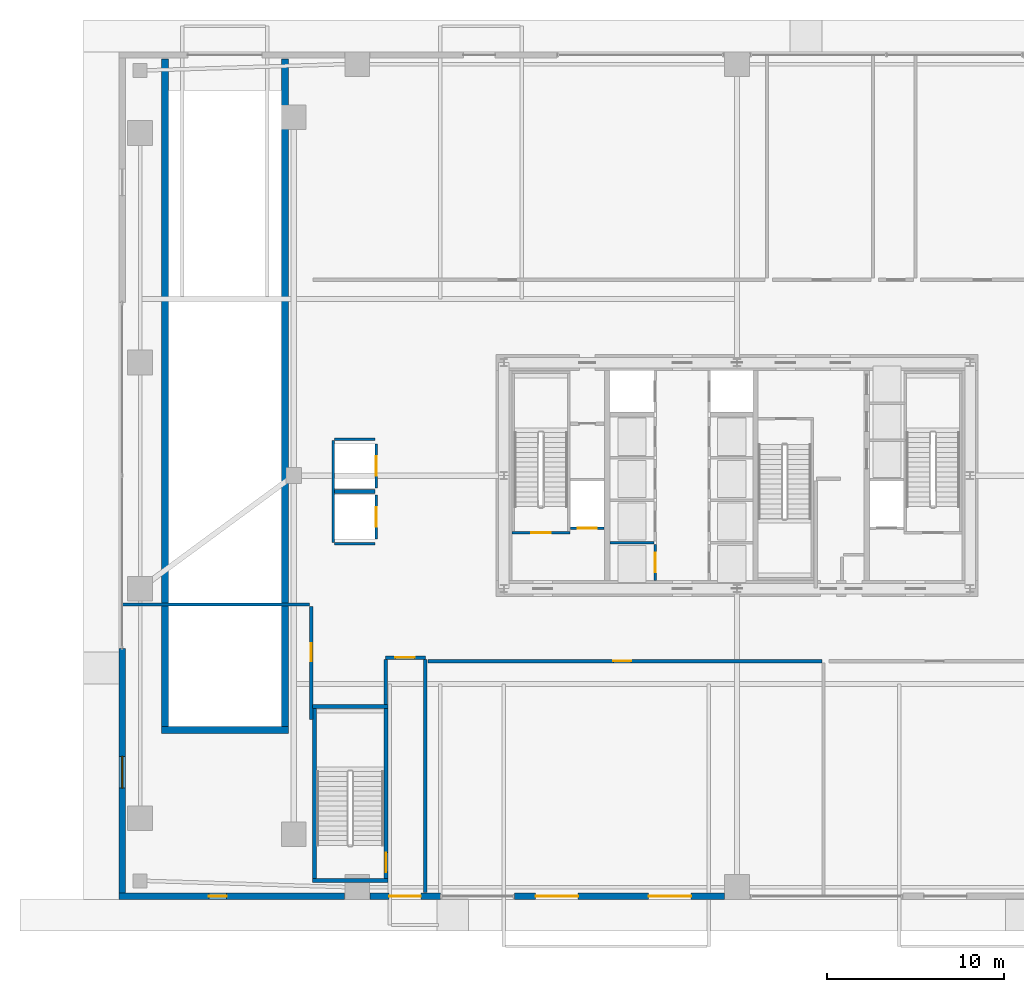
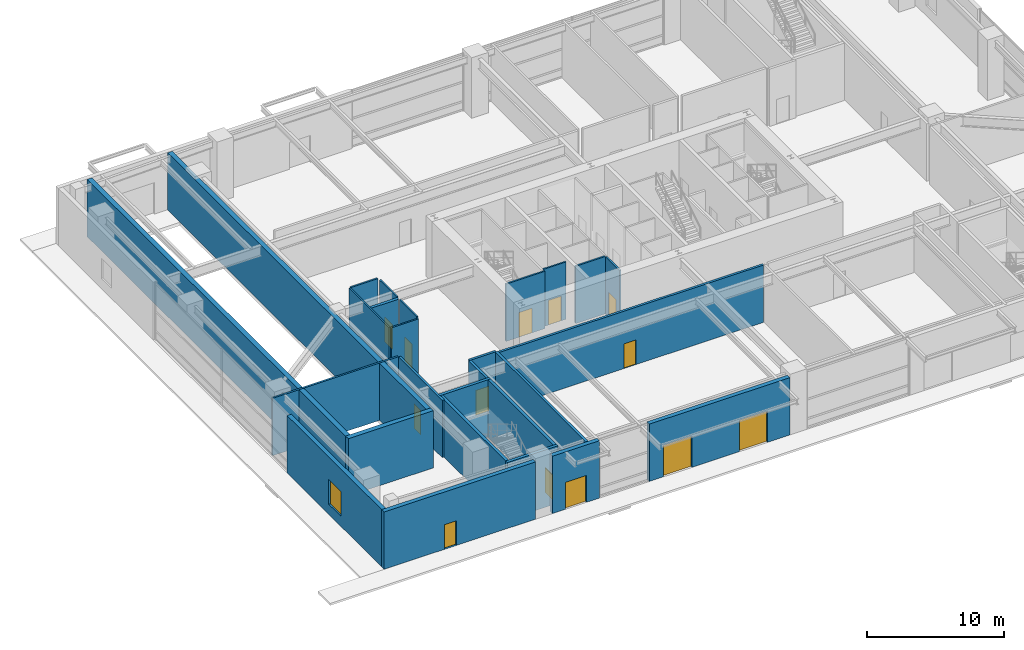
# One storey, part 24 of 32: 27 walls, 13 doors, 1 window, 14 openings.
"""IFC4 building model written with IfcOpenShell, lengths in metres."""

from ifc_helpers import new_model, si_unit, direction, frame, frame_2d, origin, place, context, subcontext, project, spatial, rectangle, extrude, source, transform, mapped, material, layer, layer_set, type_object, element, fill, save


model = new_model("IFC4")

# Units and contexts
model_context = context("Model", 3, precision=1e-05, world=origin(), true_north=direction((0.0, 1.0)))
body_context = subcontext(model_context, "Body", "Model", "MODEL_VIEW")
ifc_project = project(units=[si_unit("LENGTHUNIT", "METRE"), si_unit("AREAUNIT", "SQUARE_METRE"), si_unit("VOLUMEUNIT", "CUBIC_METRE"), si_unit("PLANEANGLEUNIT", "RADIAN"), si_unit("MASSUNIT", "GRAM", prefix="KILO"), si_unit("THERMODYNAMICTEMPERATUREUNIT", "KELVIN"), si_unit("POWERUNIT", "WATT")], contexts=[model_context])

# Site, building, storey
site_placement = place(None, origin())
site = spatial("IfcSite", under=ifc_project, at=site_placement, CompositionType="ELEMENT")
building_placement = place(site_placement, origin())
building = spatial("IfcBuilding", under=site, at=building_placement, Name="Yuzanri Waterfront Tower", CompositionType="ELEMENT")
storey_placement = place(building_placement, origin())
storey = spatial("IfcBuildingStorey", under=building, at=storey_placement, Name="L01", CompositionType="ELEMENT", Elevation=0.0)

# Wall, opening, door
ifc_material_1 = material(Name="Concrete C40", Category="concrete")
ifc_layer_1 = layer(ifc_material_1, 0.139892578125)
ifc_layer_set_1 = layer_set([ifc_layer_1], Name="Concrete C40")
wall_type_1 = type_object("IfcWallType", Name="Core Stair Liner and Hoistway Shaft Wall 140", PredefinedType="SOLIDWALL", material=ifc_layer_set_1)
wall_1_placement = place(storey_placement, frame((27.56005859375, 22.830078125, 0.0), z_axis=(0.0, 0.0, 1.0), x_axis=(1.0, 0.0, 0.0)))
wall_1 = element("IfcWall", 1, at=wall_1_placement, inside=storey, type_object=wall_type_1, Name="L01 Lift FL-01 Front Shaft Wall", PredefinedType="SOLIDWALL", context=body_context, shape_type="SweptSolid", body=[
    extrude(rectangle(XDim=1.919921875, YDim=0.139892578125, at=frame_2d((0.9599609375, 0.0))), origin(), (0.0, 0.0, 1.0), 5.1201171875),
])
opening_1_placement = place(wall_1_placement, frame((0.409912109375, 0.0, 0.0)))
opening_1 = element("IfcOpeningElement", 2, at=opening_1_placement, cuts=wall_1, Name="Opening LD-FL-01", PredefinedType="OPENING", context=body_context, shape_type="SweptSolid", body=[
    extrude(rectangle(XDim=1.10009765625, YDim=2.199951171875, at=frame_2d((0.550048828125, 1.10009765625))), frame((0.0, 0.0849609375, 0.0), z_axis=(0.0, -1.0, 0.0), x_axis=(1.0, 0.0, 0.0)), (0.0, 0.0, 1.0), 0.169677734375),
])
ifc_material_2 = material(Name="Brushed Bronze and Stainless Steel Cab", Category="steel")
door_type_1 = type_object("IfcDoorType", Name="Center-Parting Bronze Lift Landing Sliding Door 1100x2200", OperationType="NOTDEFINED", PredefinedType="DOOR", material=ifc_material_2)
shared_shape_1 = source(origin(), body_context, "Body", "SweptSolid", [
    extrude(rectangle(XDim=1.10009765625, YDim=2.199951171875, at=frame_2d((0.550048828125, 1.10009765625))), frame((0.0, 0.02490234375, 0.0), z_axis=(0.0, -1.0, 0.0), x_axis=(1.0, 0.0, 0.0)), (0.0, 0.0, 1.0), 0.050048828125),
])
door_1_placement = place(opening_1_placement, origin())
door_1 = element("IfcDoor", 3, at=door_1_placement, inside=storey, type_object=door_type_1, Name="L01 FL-01 Lift Landing Sliding Door", OperationType="SLIDING_TO_LEFT", OverallHeight=2.199951171875, OverallWidth=1.10009765625, PredefinedType="DOOR", context=body_context, shape_type="MappedRepresentation", body=[
    mapped(shared_shape_1, transform((0.0, 0.0, 0.0), scale=1.0)),
])
fill(opening_1, door_1)

wall_2_placement = place(storey_placement, frame((32.3701171875, 19.860107421875, 0.0), z_axis=(0.0, 0.0, 1.0), x_axis=(0.0, 1.0, 0.0)))
wall_2 = element("IfcWall", 4, at=wall_2_placement, inside=storey, type_object=wall_type_1, Name="L01 Lift PL-01 Front Shaft Wall", PredefinedType="SOLIDWALL", context=body_context, shape_type="SweptSolid", body=[
    extrude(rectangle(XDim=2.039794921875, YDim=0.139892578125, at=frame_2d((1.02001953125, 0.0))), origin(), (0.0, 0.0, 1.0), 5.1201171875),
])
opening_2_placement = place(wall_2_placement, frame((0.469970703125, 0.0, 0.0)))
opening_2 = element("IfcOpeningElement", 5, at=opening_2_placement, cuts=wall_2, Name="Opening LD-PL-01", PredefinedType="OPENING", context=body_context, shape_type="SweptSolid", body=[
    extrude(rectangle(XDim=1.10009765625, YDim=2.199951171875, at=frame_2d((0.550048828125, 1.10009765625))), frame((0.0, 0.0849609375, 0.0), z_axis=(0.0, -1.0, 0.0), x_axis=(1.0, 0.0, 0.0)), (0.0, 0.0, 1.0), 0.169677734375),
])
door_2_placement = place(opening_2_placement, origin())
door_2 = element("IfcDoor", 6, at=door_2_placement, inside=storey, type_object=door_type_1, Name="L01 PL-01 Lift Landing Sliding Door", OperationType="SLIDING_TO_LEFT", OverallHeight=2.199951171875, OverallWidth=1.10009765625, PredefinedType="DOOR", context=body_context, shape_type="MappedRepresentation", body=[
    mapped(shared_shape_1, transform((0.0, 0.0, 0.0), scale=1.0)),
])
fill(opening_2, door_2)

wall_3_placement = place(storey_placement, frame((16.570068359375, 22.199951171875, 0.0), z_axis=(0.0, 0.0, 1.0), x_axis=(0.0, 1.0, 0.0)))
wall_3 = element("IfcWall", 7, at=wall_3_placement, inside=storey, type_object=wall_type_1, Name="L01 Lift RL-01 Front Shaft Wall", PredefinedType="SOLIDWALL", context=body_context, shape_type="SweptSolid", body=[
    extrude(rectangle(XDim=2.5, YDim=0.139892578125, at=frame_2d((1.25, 0.0))), origin(), (0.0, 0.0, 1.0), 5.1201171875),
])
opening_3_placement = place(wall_3_placement, frame((0.699951171875, 0.0, 0.0)))
opening_3 = element("IfcOpeningElement", 8, at=opening_3_placement, cuts=wall_3, Name="Opening LD-RL-01", PredefinedType="OPENING", context=body_context, shape_type="SweptSolid", body=[
    extrude(rectangle(XDim=1.10009765625, YDim=2.199951171875, at=frame_2d((0.550048828125, 1.10009765625))), frame((0.0, 0.0849609375, 0.0), z_axis=(0.0, -1.0, 0.0), x_axis=(1.0, 0.0, 0.0)), (0.0, 0.0, 1.0), 0.169677734375),
])
door_3_placement = place(opening_3_placement, origin())
door_3 = element("IfcDoor", 9, at=door_3_placement, inside=storey, type_object=door_type_1, Name="L01 RL-01 Lift Landing Sliding Door", OperationType="SLIDING_TO_RIGHT", OverallHeight=2.199951171875, OverallWidth=1.10009765625, PredefinedType="DOOR", context=body_context, shape_type="MappedRepresentation", body=[
    mapped(shared_shape_1, transform((0.0, 0.0, 0.0), scale=1.0)),
])
fill(opening_3, door_3)

wall_4_placement = place(storey_placement, frame((16.570068359375, 25.10009765625, 0.0), z_axis=(0.0, 0.0, 1.0), x_axis=(0.0, 1.0, 0.0)))
wall_4 = element("IfcWall", 10, at=wall_4_placement, inside=storey, type_object=wall_type_1, Name="L01 Lift RL-02 Front Shaft Wall", PredefinedType="SOLIDWALL", context=body_context, shape_type="SweptSolid", body=[
    extrude(rectangle(XDim=2.5, YDim=0.139892578125, at=frame_2d((1.25, 0.0))), origin(), (0.0, 0.0, 1.0), 5.1201171875),
])
opening_4_placement = place(wall_4_placement, frame((0.699951171875, 0.0, 0.0)))
opening_4 = element("IfcOpeningElement", 11, at=opening_4_placement, cuts=wall_4, Name="Opening LD-RL-02", PredefinedType="OPENING", context=body_context, shape_type="SweptSolid", body=[
    extrude(rectangle(XDim=1.10009765625, YDim=2.199951171875, at=frame_2d((0.550048828125, 1.10009765625))), frame((0.0, 0.0849609375, 0.0), z_axis=(0.0, -1.0, 0.0), x_axis=(1.0, 0.0, 0.0)), (0.0, 0.0, 1.0), 0.169677734375),
])
door_4_placement = place(opening_4_placement, origin())
door_4 = element("IfcDoor", 12, at=door_4_placement, inside=storey, type_object=door_type_1, Name="L01 RL-02 Lift Landing Sliding Door", OperationType="SLIDING_TO_LEFT", OverallHeight=2.199951171875, OverallWidth=1.10009765625, PredefinedType="DOOR", context=body_context, shape_type="MappedRepresentation", body=[
    mapped(shared_shape_1, transform((0.0, 0.0, 0.0), scale=1.0)),
])
fill(opening_4, door_4)

wall_5_placement = place(storey_placement, frame((24.260009765625, 22.570068359375, 0.0), z_axis=(0.0, 0.0, 1.0), x_axis=(1.0, 0.0, 0.0)))
wall_5 = element("IfcWall", 13, at=wall_5_placement, inside=storey, type_object=wall_type_1, Name="L01 Shaft Wall STW-L01-ST-01-S", PredefinedType="SOLIDWALL", context=body_context, shape_type="SweptSolid", body=[
    extrude(rectangle(XDim=3.280029296875, YDim=0.139892578125, at=frame_2d((1.64013671875, 0.0))), origin(), (0.0, 0.0, 1.0), 5.1201171875),
])
opening_5_placement = place(wall_5_placement, frame((1.090087890625, 0.0, 0.0)))
opening_5 = element("IfcOpeningElement", 14, at=opening_5_placement, cuts=wall_5, Name="Opening FD-1100", PredefinedType="OPENING", context=body_context, shape_type="SweptSolid", body=[
    extrude(rectangle(XDim=1.10009765625, YDim=2.199951171875, at=frame_2d((0.550048828125, 1.10009765625))), frame((0.0, 0.0849609375, 0.0), z_axis=(0.0, -1.0, 0.0), x_axis=(1.0, 0.0, 0.0)), (0.0, 0.0, 1.0), 0.169677734375),
])
ifc_material_3 = material(Name="Painted Galvanized Fire Steel", Category="steel")
door_type_2 = type_object("IfcDoorType", Name="Smoke-Proof Stair and Lobby Fire Door 1100x2200", OperationType="NOTDEFINED", PredefinedType="DOOR", material=ifc_material_3)
shared_shape_2 = source(origin(), body_context, "Body", "SweptSolid", [
    extrude(rectangle(XDim=1.10009765625, YDim=2.199951171875, at=frame_2d((0.550048828125, 1.10009765625))), frame((0.0, 0.02490234375, 0.0), z_axis=(0.0, -1.0, 0.0), x_axis=(1.0, 0.0, 0.0)), (0.0, 0.0, 1.0), 0.050048828125),
])
door_5_placement = place(opening_5_placement, origin())
door_5 = element("IfcDoor", 15, at=door_5_placement, inside=storey, type_object=door_type_2, Name="L01 Stair ST-01 Fire Door", OperationType="SINGLE_SWING_LEFT", OverallHeight=2.199951171875, OverallWidth=1.10009765625, PredefinedType="DOOR", context=body_context, shape_type="MappedRepresentation", body=[
    mapped(shared_shape_2, transform((0.0, 0.0, 0.0), scale=1.0)),
])
fill(opening_5, door_5)

ifc_material_4 = material(Name="Autoclaved Aerated Concrete Blockwork", Category="masonry")
ifc_layer_2 = layer(ifc_material_4, 0.199951171875)
ifc_layer_set_2 = layer_set([ifc_layer_2], Name="Autoclaved Aerated Concrete Blockwork")
wall_type_2 = type_object("IfcWallType", Name="Corridor and Unit Party Fire Wall 200", PredefinedType="PARTITIONING", material=ifc_layer_set_2)
wall_6_placement = place(storey_placement, frame((17.10009765625, 15.5, 0.0), z_axis=(0.0, 0.0, 1.0), x_axis=(1.0, 0.0, 0.0)))
wall_6 = element("IfcWall", 16, at=wall_6_placement, inside=storey, type_object=wall_type_2, Name="L01 Partition EXW-L01-W", PredefinedType="PARTITIONING", context=body_context, shape_type="SweptSolid", body=[
    extrude(rectangle(XDim=2.25, YDim=0.199951171875, at=frame_2d((1.125, 0.0))), origin(), (0.0, 0.0, 1.0), 5.1201171875),
])
opening_6_placement = place(wall_6_placement, frame((0.550048828125, 0.0, 0.0)))
opening_6 = element("IfcOpeningElement", 17, at=opening_6_placement, cuts=wall_6, Name="Opening FD-1100", PredefinedType="OPENING", context=body_context, shape_type="SweptSolid", body=[
    extrude(rectangle(XDim=1.10009765625, YDim=2.199951171875, at=frame_2d((0.550048828125, 1.10009765625))), frame((0.0, 0.11474609375, 0.0), z_axis=(0.0, -1.0, 0.0), x_axis=(1.0, 0.0, 0.0)), (0.0, 0.0, 1.0), 0.229736328125),
])
door_6_placement = place(opening_6_placement, origin())
door_6 = element("IfcDoor", 18, at=door_6_placement, inside=storey, type_object=door_type_2, Name="L01 West Protected Exit Passage Fire Door", OperationType="SINGLE_SWING_LEFT", OverallHeight=2.199951171875, OverallWidth=1.10009765625, PredefinedType="DOOR", context=body_context, shape_type="MappedRepresentation", body=[
    mapped(shared_shape_2, transform((0.0, 0.0, 0.0), scale=1.0)),
])
fill(opening_6, door_6)

wall_7_placement = place(storey_placement, frame((12.89990234375, 18.39990234375, 0.0), z_axis=(0.0, 0.0, 1.0), x_axis=(0.0, -1.0, 0.0)))
wall_7 = element("IfcWall", 19, at=wall_7_placement, inside=storey, type_object=wall_type_2, Name="L01 Partition PRW-L01-026-E", PredefinedType="PARTITIONING", context=body_context, shape_type="SweptSolid", body=[
    extrude(rectangle(XDim=6.39990234375, YDim=0.199951171875, at=frame_2d((3.199951171875, 0.0))), origin(), (0.0, 0.0, 1.0), 5.1201171875),
])
opening_7_placement = place(wall_7_placement, frame((2.10009765625, 0.0, 0.0)))
opening_7 = element("IfcOpeningElement", 20, at=opening_7_placement, cuts=wall_7, Name="Opening FD-1000", PredefinedType="OPENING", context=body_context, shape_type="SweptSolid", body=[
    extrude(rectangle(XDim=1.0, YDim=2.199951171875, at=frame_2d((0.5, 1.10009765625))), frame((0.0, 0.11474609375, 0.0), z_axis=(0.0, -1.0, 0.0), x_axis=(1.0, 0.0, 0.0)), (0.0, 0.0, 1.0), 0.229736328125),
])
ifc_material_5 = material(Name="Engineered Oak Fire-Rated Timber", Category="wood")
door_type_3 = type_object("IfcDoorType", Name="Guestroom and Apartment Entrance Fire Door 1000x2200", OperationType="NOTDEFINED", PredefinedType="DOOR", material=ifc_material_5)
shared_shape_3 = source(origin(), body_context, "Body", "SweptSolid", [
    extrude(rectangle(XDim=1.0, YDim=2.199951171875, at=frame_2d((0.5, 1.10009765625))), frame((0.0, 0.02490234375, 0.0), z_axis=(0.0, -1.0, 0.0), x_axis=(1.0, 0.0, 0.0)), (0.0, 0.0, 1.0), 0.050048828125),
])
door_7_placement = place(opening_7_placement, origin())
door_7 = element("IfcDoor", 21, at=door_7_placement, inside=storey, type_object=door_type_3, Name="L01 Fire Control Room", OperationType="SINGLE_SWING_RIGHT", OverallHeight=2.199951171875, OverallWidth=1.0, PredefinedType="DOOR", context=body_context, shape_type="MappedRepresentation", body=[
    mapped(shared_shape_3, transform((0.0, 0.0, 0.0), scale=1.0)),
])
fill(opening_7, door_7)

wall_8_placement = place(storey_placement, frame((19.5, 15.300048828125, 0.0), z_axis=(0.0, 0.0, 1.0), x_axis=(1.0, 0.0, 0.0)))
wall_8 = element("IfcWall", 22, at=wall_8_placement, inside=storey, type_object=wall_type_2, Name="L01 Partition PRW-L01-027-N", PredefinedType="PARTITIONING", context=body_context, shape_type="SweptSolid", body=[
    extrude(rectangle(XDim=22.300048828125, YDim=0.199951171875, at=frame_2d((11.14990234375, 0.0))), origin(), (0.0, 0.0, 1.0), 5.1201171875),
])
opening_8_placement = place(wall_8_placement, frame((10.5, 0.0, 0.0)))
opening_8 = element("IfcOpeningElement", 23, at=opening_8_placement, cuts=wall_8, Name="Opening FD-1000", PredefinedType="OPENING", context=body_context, shape_type="SweptSolid", body=[
    extrude(rectangle(XDim=1.0, YDim=2.199951171875, at=frame_2d((0.5, 1.10009765625))), frame((0.0, 0.11474609375, 0.0), z_axis=(0.0, -1.0, 0.0), x_axis=(1.0, 0.0, 0.0)), (0.0, 0.0, 1.0), 0.229736328125),
])
door_8_placement = place(opening_8_placement, origin())
door_8 = element("IfcDoor", 24, at=door_8_placement, inside=storey, type_object=door_type_3, Name="L01 Luxury Hotel Arrival Lobby", OperationType="SINGLE_SWING_LEFT", OverallHeight=2.199951171875, OverallWidth=1.0, PredefinedType="DOOR", context=body_context, shape_type="MappedRepresentation", body=[
    mapped(shared_shape_3, transform((0.0, 0.0, 0.0), scale=1.0)),
])
fill(opening_8, door_8)

ifc_material_6 = material(Name="Honed Chongqing Dark Basalt Stone", Category="masonry")
ifc_layer_3 = layer(ifc_material_6, 0.360107421875)
ifc_layer_set_3 = layer_set([ifc_layer_3], Name="Honed Chongqing Dark Basalt Stone")
wall_type_3 = type_object("IfcWallType", Name="Honed Basalt Stone Masonry-Frame Spandrel Wall 360", PredefinedType="SOLIDWALL", material=ifc_layer_set_3)
wall_9_placement = place(storey_placement, frame((14.780029296875, 1.97998046875, 0.0), z_axis=(0.0, 0.0, 1.0), x_axis=(-1.0, 0.0, 0.0)))
wall_9 = element("IfcWall", 25, at=wall_9_placement, inside=storey, type_object=wall_type_3, Name="L01 South-West Basalt Pier", PredefinedType="SOLIDWALL", context=body_context, shape_type="SweptSolid", body=[
    extrude(rectangle(XDim=12.780029296875, YDim=0.360107421875, at=frame_2d((6.39013671875, 0.0))), origin(), (0.0, 0.0, 1.0), 5.1201171875),
])
opening_9_placement = place(wall_9_placement, frame((6.679931640625, 0.0, 0.0)))
opening_9 = element("IfcOpeningElement", 26, at=opening_9_placement, cuts=wall_9, Name="Opening TD-1000", PredefinedType="OPENING", context=body_context, shape_type="SweptSolid", body=[
    extrude(rectangle(XDim=1.0, YDim=2.199951171875, at=frame_2d((0.5, 1.10009765625))), frame((0.0, 0.19482421875, 0.0), z_axis=(0.0, -1.0, 0.0), x_axis=(1.0, 0.0, 0.0)), (0.0, 0.0, 1.0), 0.389892578125),
])
ifc_material_7 = material(Name="Anodized Architectural Bronze", Category="metal")
door_type_4 = type_object("IfcDoorType", Name="Anodized Bronze Refuge Deck Weatherproof Exit Door 1000x2200", OperationType="NOTDEFINED", PredefinedType="DOOR", material=ifc_material_7)
shared_shape_4 = source(origin(), body_context, "Body", "SweptSolid", [
    extrude(rectangle(XDim=1.0, YDim=2.199951171875, at=frame_2d((0.5, 1.10009765625))), frame((0.0, 0.02490234375, 0.0), z_axis=(0.0, -1.0, 0.0), x_axis=(1.0, 0.0, 0.0)), (0.0, 0.0, 1.0), 0.050048828125),
])
door_9_placement = place(opening_9_placement, origin())
door_9 = element("IfcDoor", 27, at=door_9_placement, inside=storey, type_object=door_type_4, Name="L01 Fire Control Room Direct Exterior Door", OperationType="SINGLE_SWING_LEFT", OverallHeight=2.199951171875, OverallWidth=1.0, PredefinedType="DOOR", context=body_context, shape_type="MappedRepresentation", body=[
    mapped(shared_shape_4, transform((0.0, 0.0, 0.0), scale=1.0)),
])
fill(opening_9, door_9)

wall_10_placement = place(storey_placement, frame((20.199951171875, 1.97998046875, 0.0), z_axis=(0.0, 0.0, 1.0), x_axis=(-1.0, 0.0, 0.0)))
wall_10 = element("IfcWall", 28, at=wall_10_placement, inside=storey, type_object=wall_type_3, Name="L01 West Stair Discharge Portal", PredefinedType="SOLIDWALL", context=body_context, shape_type="SweptSolid", body=[
    extrude(rectangle(XDim=3.97998046875, YDim=0.360107421875, at=frame_2d((1.989990234375, 0.0))), origin(), (0.0, 0.0, 1.0), 5.1201171875),
])
opening_10_placement = place(wall_10_placement, frame((1.10009765625, 0.0, 0.0)))
opening_10 = element("IfcOpeningElement", 29, at=opening_10_placement, cuts=wall_10, Name="Opening ED-1800", PredefinedType="OPENING", context=body_context, shape_type="SweptSolid", body=[
    extrude(rectangle(XDim=1.800048828125, YDim=2.39990234375, at=frame_2d((0.89990234375, 1.199951171875))), frame((0.0, 0.19482421875, 0.0), z_axis=(0.0, -1.0, 0.0), x_axis=(1.0, 0.0, 0.0)), (0.0, 0.0, 1.0), 0.389892578125),
])
ifc_material_8 = material(Name="Anodized Architectural Bronze", Category="metal")
door_type_5 = type_object("IfcDoorType", Name="Anodized Bronze Retail Streetfront Glazed Double Entrance Door 1800x2400", OperationType="NOTDEFINED", PredefinedType="DOOR", material=ifc_material_8)
shared_shape_5 = source(origin(), body_context, "Body", "SweptSolid", [
    extrude(rectangle(XDim=1.800048828125, YDim=2.39990234375, at=frame_2d((0.89990234375, 1.199951171875))), frame((0.0, 0.02490234375, 0.0), z_axis=(0.0, -1.0, 0.0), x_axis=(1.0, 0.0, 0.0)), (0.0, 0.0, 1.0), 0.050048828125),
])
door_10_placement = place(opening_10_placement, origin())
door_10 = element("IfcDoor", 30, at=door_10_placement, inside=storey, type_object=door_type_5, Name="L01 West Stair Street Discharge Door", OperationType="DOUBLE_DOOR_SINGLE_SWING", OverallHeight=2.39990234375, OverallWidth=1.800048828125, PredefinedType="DOOR", context=body_context, shape_type="MappedRepresentation", body=[
    mapped(shared_shape_5, transform((0.0, 0.0, 0.0), scale=1.0)),
])
fill(opening_10, door_10)

# Wall, openings, doors
wall_11_placement = place(storey_placement, frame((36.280029296875, 1.97998046875, 0.0), z_axis=(0.0, 0.0, 1.0), x_axis=(-1.0, 0.0, 0.0)))
wall_11 = element("IfcWall", 31, at=wall_11_placement, inside=storey, type_object=wall_type_3, Name="L01 Hotel Arrival Entrance Portal", PredefinedType="SOLIDWALL", context=body_context, shape_type="SweptSolid", body=[
    extrude(rectangle(XDim=11.880126953125, YDim=0.360107421875, at=frame_2d((5.93994140625, 0.0))), origin(), (0.0, 0.0, 1.0), 5.1201171875),
])
opening_11_placement = place(wall_11_placement, frame((8.280029296875, 0.0, 0.0)))
opening_11 = element("IfcOpeningElement", 32, at=opening_11_placement, cuts=wall_11, Name="Opening ED-2400", PredefinedType="OPENING", context=body_context, shape_type="SweptSolid", body=[
    extrude(rectangle(XDim=2.39990234375, YDim=2.800048828125, at=frame_2d((1.199951171875, 1.39990234375))), frame((0.0, 0.19482421875, 0.0), z_axis=(0.0, -1.0, 0.0), x_axis=(1.0, 0.0, 0.0)), (0.0, 0.0, 1.0), 0.389892578125),
])
opening_12_placement = place(wall_11_placement, frame((1.8798828125, 0.0, 0.0)))
opening_12 = element("IfcOpeningElement", 33, at=opening_12_placement, cuts=wall_11, Name="Opening ED-2400", PredefinedType="OPENING", context=body_context, shape_type="SweptSolid", body=[
    extrude(rectangle(XDim=2.39990234375, YDim=2.800048828125, at=frame_2d((1.199951171875, 1.39990234375))), frame((0.0, 0.19482421875, 0.0), z_axis=(0.0, -1.0, 0.0), x_axis=(1.0, 0.0, 0.0)), (0.0, 0.0, 1.0), 0.389892578125),
])
ifc_material_9 = material(Name="Anodized Architectural Bronze", Category="metal")
door_type_6 = type_object("IfcDoorType", Name="Anodized Bronze Waterfront Lobby Glazed Double Entrance Door 2400x2800", OperationType="NOTDEFINED", PredefinedType="DOOR", material=ifc_material_9)
shared_shape_6 = source(origin(), body_context, "Body", "SweptSolid", [
    extrude(rectangle(XDim=2.39990234375, YDim=2.800048828125, at=frame_2d((1.199951171875, 1.39990234375))), frame((0.0, 0.02490234375, 0.0), z_axis=(0.0, -1.0, 0.0), x_axis=(1.0, 0.0, 0.0)), (0.0, 0.0, 1.0), 0.050048828125),
])
door_11_placement = place(opening_11_placement, origin())
door_11 = element("IfcDoor", 34, at=door_11_placement, inside=storey, type_object=door_type_6, Name="L01 Hotel Waterfront Entrance Door 1", OperationType="DOUBLE_DOOR_SINGLE_SWING", OverallHeight=2.800048828125, OverallWidth=2.39990234375, PredefinedType="DOOR", context=body_context, shape_type="MappedRepresentation", body=[
    mapped(shared_shape_6, transform((0.0, 0.0, 0.0), scale=1.0)),
])
fill(opening_11, door_11)
door_12_placement = place(opening_12_placement, origin())
door_12 = element("IfcDoor", 35, at=door_12_placement, inside=storey, type_object=door_type_6, Name="L01 Hotel Waterfront Entrance Door 2", OperationType="DOUBLE_DOOR_SINGLE_SWING", OverallHeight=2.800048828125, OverallWidth=2.39990234375, PredefinedType="DOOR", context=body_context, shape_type="MappedRepresentation", body=[
    mapped(shared_shape_6, transform((0.0, 0.0, 0.0), scale=1.0)),
])
fill(opening_12, door_12)

# Wall, opening, window
wall_12_placement = place(storey_placement, frame((2.179931640625, 2.159912109375, 0.0), z_axis=(0.0, 0.0, 1.0), x_axis=(0.0, 1.0, 0.0)))
wall_12 = element("IfcWall", 36, at=wall_12_placement, inside=storey, type_object=wall_type_3, Name="L01 W South Basalt Pier", PredefinedType="SOLIDWALL", context=body_context, shape_type="SweptSolid", body=[
    extrude(rectangle(XDim=13.840087890625, YDim=0.360107421875, at=frame_2d((6.919921875, 0.0))), origin(), (0.0, 0.0, 1.0), 5.1201171875),
])
opening_13_placement = place(wall_12_placement, frame((5.93994140625, 0.0, 0.89990234375)))
opening_13 = element("IfcOpeningElement", 37, at=opening_13_placement, cuts=wall_12, Name="Opening WN-01", PredefinedType="OPENING", context=body_context, shape_type="SweptSolid", body=[
    extrude(rectangle(XDim=1.800048828125, YDim=2.199951171875, at=frame_2d((0.89990234375, 1.10009765625))), frame((0.0, 0.19482421875, 0.0), z_axis=(0.0, -1.0, 0.0), x_axis=(1.0, 0.0, 0.0)), (0.0, 0.0, 1.0), 0.389892578125),
])
ifc_material_10 = material(Name="Double-Silver Low-E Insulated Glass", Category="glass")
window_type = type_object("IfcWindowType", Name="Anodized Bronze Recessed Bronze Frame Double Casement Window 1800x2200", PartitioningType="SINGLE_PANEL", PredefinedType="WINDOW", material=ifc_material_10)
shared_shape_7 = source(origin(), body_context, "Body", "SweptSolid", [
    extrude(rectangle(XDim=1.800048828125, YDim=2.199951171875, at=frame_2d((0.89990234375, 1.10009765625))), frame((0.0, 0.030029296875, 0.0), z_axis=(0.0, -1.0, 0.0), x_axis=(1.0, 0.0, 0.0)), (0.0, 0.0, 1.0), 0.06005859375),
])
window_placement = place(opening_13_placement, origin())
window = element("IfcWindow", 38, at=window_placement, inside=storey, type_object=window_type, Name="L01 WS Window", OverallHeight=2.199951171875, OverallWidth=1.800048828125, PartitioningType="SINGLE_PANEL", PredefinedType="WINDOW", context=body_context, shape_type="MappedRepresentation", body=[
    mapped(shared_shape_7, transform((0.0, 0.0, 0.0), scale=1.0)),
])
fill(opening_13, window)

# Wall, opening, door
ifc_material_11 = material(Name="Concrete C40", Category="concrete")
ifc_layer_4 = layer(ifc_material_11, 0.25)
ifc_layer_set_4 = layer_set([ifc_layer_4], Name="Concrete C40")
wall_type_4 = type_object("IfcWallType", Name="Smoke-Proof Stair and Lift Shaft Wall 250", PredefinedType="SOLIDWALL", material=ifc_layer_set_4)
wall_13_placement = place(storey_placement, frame((17.125, 3.0, 0.0), z_axis=(0.0, 0.0, 1.0), x_axis=(0.0, 1.0, 0.0)))
wall_13 = element("IfcWall", 39, at=wall_13_placement, inside=storey, type_object=wall_type_4, Name="L01 Shaft Wall PSTW-L01-PST-01-E", PredefinedType="SOLIDWALL", context=body_context, shape_type="SweptSolid", body=[
    extrude(rectangle(XDim=9.60009765625, YDim=0.25, at=frame_2d((4.800048828125, 0.0))), origin(), (0.0, 0.0, 1.0), 5.1201171875),
])
opening_14_placement = place(wall_13_placement, frame((0.35009765625, 0.0, 0.0)))
opening_14 = element("IfcOpeningElement", 40, at=opening_14_placement, cuts=wall_13, Name="Opening FD-1100", PredefinedType="OPENING", context=body_context, shape_type="SweptSolid", body=[
    extrude(rectangle(XDim=1.10009765625, YDim=2.199951171875, at=frame_2d((0.550048828125, 1.10009765625))), frame((0.0, 0.139892578125, 0.0), z_axis=(0.0, -1.0, 0.0), x_axis=(1.0, 0.0, 0.0)), (0.0, 0.0, 1.0), 0.27978515625),
])
door_13_placement = place(opening_14_placement, origin())
door_13 = element("IfcDoor", 41, at=door_13_placement, inside=storey, type_object=door_type_2, Name="L01 PST-01 Stair Door", OperationType="SINGLE_SWING_RIGHT", OverallHeight=2.199951171875, OverallWidth=1.10009765625, PredefinedType="DOOR", context=body_context, shape_type="MappedRepresentation", body=[
    mapped(shared_shape_2, transform((0.0, 0.0, 0.0), scale=1.0)),
])
fill(opening_14, door_13)

# Walls
ifc_material_12 = material(Name="Concrete C50", Category="concrete")
ifc_layer_5 = layer(ifc_material_12, 0.39990234375)
ifc_layer_set_5 = layer_set([ifc_layer_5], Name="Concrete C50")
wall_type_5 = type_object("IfcWallType", Name="Concrete C50 Car-Park Ramp Enclosure Structural Wall 400", PredefinedType="SOLIDWALL", material=ifc_layer_set_5)
shared_shape_8 = source(origin(), body_context, "Body", "SweptSolid", [
    extrude(rectangle(XDim=37.7998046875, YDim=0.39990234375, at=frame_2d((18.89990234375, 0.0))), origin(), (0.0, 0.0, 1.0), 5.1201171875),
])
for number, where, z_axis, x_axis, name in (
    (42, (4.60009765625, 11.60009765625, 0.0), (0.0, 0.0, 1.0), (0.0, 1.0, 0.0), "L01 Ramp West Enclosure Wall"),
    (43, (11.39990234375, 11.60009765625, 0.0), (0.0, 0.0, 1.0), (0.0, 1.0, 0.0), "L01 Ramp East Enclosure Wall"),
):
    element("IfcWall", number, at=place(storey_placement, frame(where, z_axis=z_axis, x_axis=x_axis)), inside=storey, type_object=wall_type_5, Name=name, PredefinedType="SOLIDWALL", context=body_context, shape_type="MappedRepresentation", body=[
        mapped(shared_shape_8, transform((0.0, 0.0, 0.0), scale=1.0)),
    ])
shared_shape_9 = source(origin(), body_context, "Body", "SweptSolid", [
    extrude(rectangle(XDim=7.2001953125, YDim=0.39990234375, at=frame_2d((3.60009765625, 0.0))), origin(), (0.0, 0.0, 1.0), 5.1201171875),
])
wall_14_placement = place(storey_placement, frame((4.39990234375, 11.39990234375, 0.0), z_axis=(0.0, 0.0, 1.0), x_axis=(1.0, 0.0, 0.0)))
element("IfcWall", 44, at=wall_14_placement, inside=storey, type_object=wall_type_5, Name="L01 Ramp South Closure Wall", PredefinedType="SOLIDWALL", context=body_context, shape_type="MappedRepresentation", body=[
    mapped(shared_shape_9, transform((0.0, 0.0, 0.0), scale=1.0)),
])
shared_shape_10 = source(origin(), body_context, "Body", "SweptSolid", [
    extrude(rectangle(XDim=2.5, YDim=0.139892578125, at=frame_2d((1.25, 0.0))), origin(), (0.0, 0.0, 1.0), 5.1201171875),
])
wall_15_placement = place(storey_placement, frame((29.800048828125, 22.0, 0.0), z_axis=(0.0, 0.0, 1.0), x_axis=(1.0, 0.0, 0.0)))
element("IfcWall", 45, at=wall_15_placement, inside=storey, type_object=wall_type_1, Name="L01 Lift PL-01 Divider Wall", PredefinedType="SOLIDWALL", context=body_context, shape_type="MappedRepresentation", body=[
    mapped(shared_shape_10, transform((0.0, 0.0, 0.0), scale=1.0)),
])
shared_shape_11 = source(origin(), body_context, "Body", "SweptSolid", [
    extrude(rectangle(XDim=2.300048828125, YDim=0.25, at=frame_2d((1.14990234375, 0.0))), origin(), (0.0, 0.0, 1.0), 5.1201171875),
])
wall_16_placement = place(storey_placement, frame((14.199951171875, 24.89990234375, 0.0), z_axis=(0.0, 0.0, 1.0), x_axis=(1.0, 0.0, 0.0)))
element("IfcWall", 46, at=wall_16_placement, inside=storey, type_object=wall_type_4, Name="L01 Lift RL-01 Divider Wall", PredefinedType="SOLIDWALL", context=body_context, shape_type="MappedRepresentation", body=[
    mapped(shared_shape_11, transform((0.0, 0.0, 0.0), scale=1.0)),
])
shared_shape_12 = source(origin(), body_context, "Body", "SweptSolid", [
    extrude(rectangle(XDim=5.800048828125, YDim=0.139892578125, at=frame_2d((2.89990234375, 0.0))), origin(), (0.0, 0.0, 1.0), 5.1201171875),
])
wall_17_placement = place(storey_placement, frame((14.1298828125, 22.0, 0.0), z_axis=(0.0, 0.0, 1.0), x_axis=(0.0, 1.0, 0.0)))
element("IfcWall", 47, at=wall_17_placement, inside=storey, type_object=wall_type_1, Name="L01 Retail Lift West Shaft Wall", PredefinedType="SOLIDWALL", context=body_context, shape_type="MappedRepresentation", body=[
    mapped(shared_shape_12, transform((0.0, 0.0, 0.0), scale=1.0)),
])
shared_shape_13 = source(origin(), body_context, "Body", "SweptSolid", [
    extrude(rectangle(XDim=2.300048828125, YDim=0.139892578125, at=frame_2d((1.14990234375, 0.0))), origin(), (0.0, 0.0, 1.0), 5.1201171875),
])
for number, where, z_axis, x_axis, name in (
    (48, (14.199951171875, 21.929931640625, 0.0), (0.0, 0.0, 1.0), (1.0, 0.0, 0.0), "L01 Retail Lift South Shaft Wall"),
    (49, (14.199951171875, 27.8701171875, 0.0), (0.0, 0.0, 1.0), (1.0, 0.0, 0.0), "L01 Retail Lift North Shaft Wall"),
):
    element("IfcWall", number, at=place(storey_placement, frame(where, z_axis=z_axis, x_axis=x_axis)), inside=storey, type_object=wall_type_1, Name=name, PredefinedType="SOLIDWALL", context=body_context, shape_type="MappedRepresentation", body=[
        mapped(shared_shape_13, transform((0.0, 0.0, 0.0), scale=1.0)),
    ])
shared_shape_14 = source(origin(), body_context, "Body", "SweptSolid", [
    extrude(rectangle(XDim=4.300048828125, YDim=0.25, at=frame_2d((2.14990234375, 0.0))), origin(), (0.0, 0.0, 1.0), 5.1201171875),
])
for number, where, z_axis, x_axis, name in (
    (50, (12.949951171875, 2.875, 0.0), (0.0, 0.0, 1.0), (1.0, 0.0, 0.0), "L01 PST-01 South Wall"),
    (51, (12.949951171875, 12.72509765625, 0.0), (0.0, 0.0, 1.0), (1.0, 0.0, 0.0), "L01 PST-01 North Wall"),
):
    element("IfcWall", number, at=place(storey_placement, frame(where, z_axis=z_axis, x_axis=x_axis)), inside=storey, type_object=wall_type_4, Name=name, PredefinedType="SOLIDWALL", context=body_context, shape_type="MappedRepresentation", body=[
        mapped(shared_shape_14, transform((0.0, 0.0, 0.0), scale=1.0)),
    ])
shared_shape_15 = source(origin(), body_context, "Body", "SweptSolid", [
    extrude(rectangle(XDim=9.60009765625, YDim=0.25, at=frame_2d((4.800048828125, 0.0))), origin(), (0.0, 0.0, 1.0), 5.1201171875),
])
wall_18_placement = place(storey_placement, frame((13.074951171875, 3.0, 0.0), z_axis=(0.0, 0.0, 1.0), x_axis=(0.0, 1.0, 0.0)))
element("IfcWall", 52, at=wall_18_placement, inside=storey, type_object=wall_type_4, Name="L01 Shaft Wall PSTW-L01-PST-01-W", PredefinedType="SOLIDWALL", context=body_context, shape_type="MappedRepresentation", body=[
    mapped(shared_shape_15, transform((0.0, 0.0, 0.0), scale=1.0)),
])
shared_shape_16 = source(origin(), body_context, "Body", "SweptSolid", [
    extrude(rectangle(XDim=13.219970703125, YDim=0.199951171875, at=frame_2d((6.60986328125, 0.0))), origin(), (0.0, 0.0, 1.0), 5.1201171875),
])
wall_19_placement = place(storey_placement, frame((19.35009765625, 2.179931640625, 0.0), z_axis=(0.0, 0.0, 1.0), x_axis=(0.0, 1.0, 0.0)))
element("IfcWall", 53, at=wall_19_placement, inside=storey, type_object=wall_type_2, Name="L01 West Exit Passage East Fire Wall", PredefinedType="PARTITIONING", context=body_context, shape_type="MappedRepresentation", body=[
    mapped(shared_shape_16, transform((0.0, 0.0, 0.0), scale=1.0)),
])
shared_shape_17 = source(origin(), body_context, "Body", "SweptSolid", [
    extrude(rectangle(XDim=2.5498046875, YDim=0.199951171875, at=frame_2d((1.27490234375, 0.0))), origin(), (0.0, 0.0, 1.0), 5.1201171875),
])
wall_20_placement = place(storey_placement, frame((17.10009765625, 12.85009765625, 0.0), z_axis=(0.0, 0.0, 1.0), x_axis=(0.0, 1.0, 0.0)))
element("IfcWall", 54, at=wall_20_placement, inside=storey, type_object=wall_type_2, Name="L01 West Exit Passage West Fire Wall", PredefinedType="PARTITIONING", context=body_context, shape_type="MappedRepresentation", body=[
    mapped(shared_shape_17, transform((0.0, 0.0, 0.0), scale=1.0)),
])
ifc_material_13 = material(Name="Gypsum Fireboard Acoustic Stud Wall", Category="gypsum")
ifc_layer_6 = layer(ifc_material_13, 0.159912109375)
ifc_layer_set_6 = layer_set([ifc_layer_6], Name="Gypsum Fireboard Acoustic Stud Wall")
wall_type_6 = type_object("IfcWallType", Name="Acoustic Suite Demising Partition 160", PredefinedType="PARTITIONING", material=ifc_layer_set_6)
shared_shape_18 = source(origin(), body_context, "Body", "SweptSolid", [
    extrude(rectangle(XDim=10.6201171875, YDim=0.159912109375, at=frame_2d((5.31005859375, 0.0))), origin(), (0.0, 0.0, 1.0), 5.1201171875),
])
wall_21_placement = place(storey_placement, frame((2.179931640625, 18.5, 0.0), z_axis=(0.0, 0.0, 1.0), x_axis=(1.0, 0.0, 0.0)))
element("IfcWall", 55, at=wall_21_placement, inside=storey, type_object=wall_type_6, Name="L01-026 North Partition", PredefinedType="PARTITIONING", context=body_context, shape_type="MappedRepresentation", body=[
    mapped(shared_shape_18, transform((0.0, 0.0, 0.0), scale=1.0)),
])

save(model, "model.ifc")
